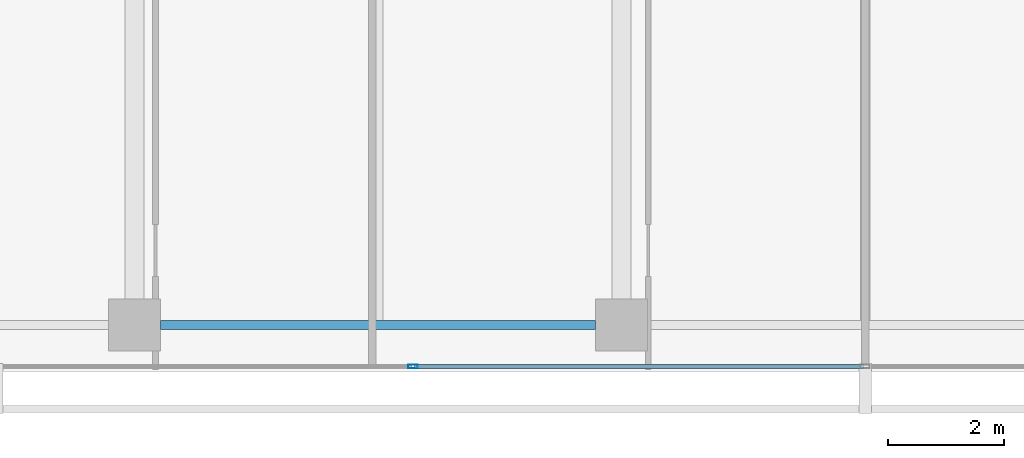
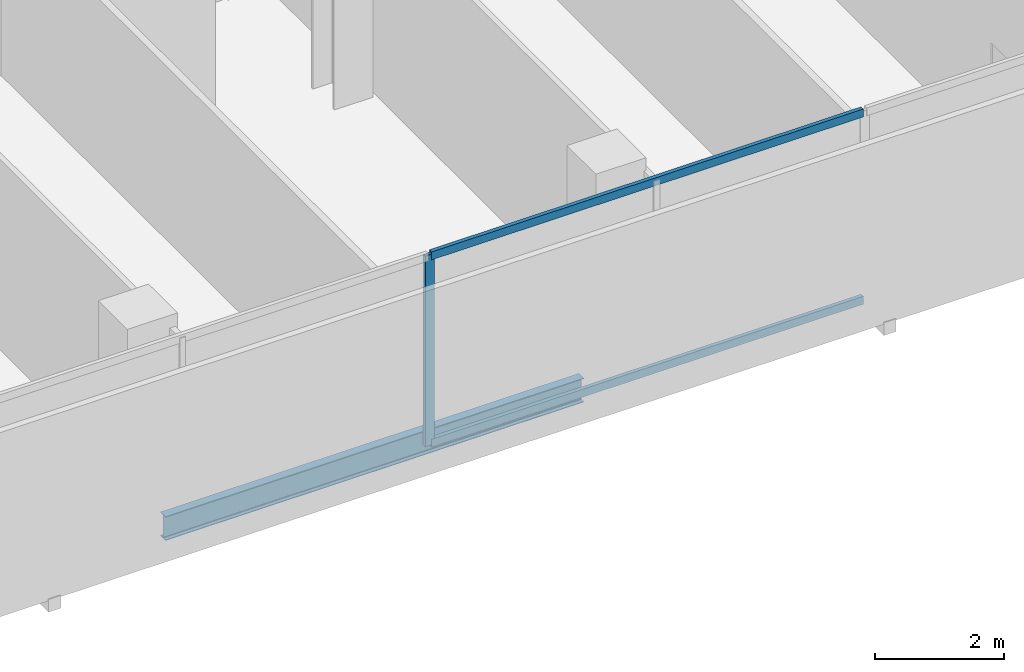
# One storey, part 7 of 40: 3 members, 1 beam, 1 element without a shape of its own.
"""IFC4 building model written with IfcOpenShell, lengths in metres."""

from ifc_helpers import new_model, si_unit, direction, frame, origin, origin_2d, place, context, subcontext, project, spatial, hollow_rectangle, i_section, extrude, material, layer, layer_set, material_profile, profile_set, type_object, element, aggregate, save


model = new_model("IFC4")

# Units and contexts
model_context = context("Model", 3, precision=1e-05, world=origin(), true_north=direction((0.0, 1.0)))
body_context = subcontext(model_context, "Body", "Model", "MODEL_VIEW")
ifc_project = project(units=[si_unit("LENGTHUNIT", "METRE"), si_unit("AREAUNIT", "SQUARE_METRE"), si_unit("VOLUMEUNIT", "CUBIC_METRE"), si_unit("PLANEANGLEUNIT", "RADIAN"), si_unit("MASSUNIT", "GRAM", prefix="KILO")], contexts=[model_context])

# Site, building, storey
site_placement = place(None, origin())
site = spatial("IfcSite", under=ifc_project, at=site_placement, CompositionType="ELEMENT")
building_placement = place(site_placement, origin())
building = spatial("IfcBuilding", under=site, at=building_placement, Name="Maruvema Waterfront Hotel and Observation Tower", CompositionType="ELEMENT")
storey_placement = place(building_placement, frame((0.0, 0.0, 92.39990234375)))
storey = spatial("IfcBuildingStorey", under=building, at=storey_placement, Name="L22", CompositionType="ELEMENT", Elevation=92.39990234375)

# Curtain wall, members
ifc_material_1 = material(Name="Anodised bronze aluminium and solar-control low-E IGU", Category="aluminium")
ifc_layer = layer(ifc_material_1, 0.159912109375, Name="Zone 1 Bronze Inner Thermal Curtain Wall System CW-02")
ifc_layer_set = layer_set([ifc_layer], Name="Anodised bronze aluminium and solar-control low-E IGU")
curtain_wall_type = type_object("IfcCurtainWallType", Name="Zone 1 Bronze Inner Thermal Curtain Wall System CW-02", PredefinedType="USERDEFINED", material=ifc_layer_set)
curtain_wall_placement = place(storey_placement, origin())
curtain_wall = element("IfcCurtainWall", 1, at=curtain_wall_placement, inside=storey, type_object=curtain_wall_type, Name="L22 Curtain Wall CW-L22-S", ObjectType="UNITISED CURTAIN WALL", PredefinedType="USERDEFINED")
ifc_material_2 = material(Name="Anodised architectural bronze aluminium", Category="aluminium")
ifc_material_profile_1 = material_profile(ifc_material_2, hollow_rectangle(XDim=0.070068359375, YDim=0.14990234375, WallThickness=0.00390625, at=origin_2d()), Name="ALU-T70x150")
ifc_profile_set_1 = profile_set([ifc_material_profile_1], Name="Anodised architectural bronze aluminium")
member_type_1 = type_object("IfcMemberType", Name="Curtain Wall Horizontal Transom ALU-T70x150", PredefinedType="USERDEFINED", material=ifc_profile_set_1)
member_1_placement = place(storey_placement, frame((30.030029296875, 0.080078125, 0.030029296875), z_axis=(1.0, 0.0, 0.0), x_axis=(0.0, 1.0, 0.0)))
member_1 = element("IfcMember", 2, at=member_1_placement, type_object=member_type_1, Name="CW-02 transom 3.1", ObjectType="TRANSOM", PredefinedType="USERDEFINED", context=body_context, shape_type="SweptSolid", body=[
    extrude(hollow_rectangle(XDim=0.070068359375, YDim=0.14990234375, WallThickness=0.00390625, at=origin_2d()), origin(), (0.0, 0.0, 1.0), 7.739990234375),
])
member_2_placement = place(storey_placement, frame((30.030029296875, 0.080078125, 3.580078125), z_axis=(1.0, 0.0, 0.0), x_axis=(0.0, 1.0, 0.0)))
member_2 = element("IfcMember", 3, at=member_2_placement, type_object=member_type_1, Name="CW-02 transom 3.2", ObjectType="TRANSOM", PredefinedType="USERDEFINED", context=body_context, shape_type="SweptSolid", body=[
    extrude(hollow_rectangle(XDim=0.070068359375, YDim=0.14990234375, WallThickness=0.00390625, at=origin_2d()), origin(), (0.0, 0.0, 1.0), 7.739990234375),
])
ifc_material_3 = material(Name="Anodised architectural bronze aluminium", Category="aluminium")
ifc_material_profile_2 = material_profile(ifc_material_3, hollow_rectangle(XDim=0.06494140625, YDim=0.1650390625, WallThickness=0.00390625, at=origin_2d()), Name="ALU-M65x165")
ifc_profile_set_2 = profile_set([ifc_material_profile_2], Name="Anodised architectural bronze aluminium")
member_type_2 = type_object("IfcMemberType", Name="Curtain Wall Primary Mullion ALU-M65x165", PredefinedType="MULLION", material=ifc_profile_set_2)
member_3_placement = place(storey_placement, frame((30.0, 0.080078125, 0.0), z_axis=(0.0, 0.0, 1.0), x_axis=(0.0, 1.0, 0.0)))
member_3 = element("IfcMember", 4, at=member_3_placement, type_object=member_type_2, Name="CW-02 mullion 3", PredefinedType="MULLION", context=body_context, shape_type="SweptSolid", body=[
    extrude(hollow_rectangle(XDim=0.06494140625, YDim=0.1650390625, WallThickness=0.00390625, at=origin_2d()), origin(), (0.0, 0.0, 1.0), 3.610107421875),
])
aggregate(curtain_wall, [member_3, member_1, member_2])

# Beam
ifc_material_4 = material(Name="Steel ASTM A572 Grade 50", Category="steel")
ifc_material_profile_3 = material_profile(ifc_material_4, i_section(OverallWidth=0.153076171875, OverallDepth=0.455078125, WebThickness=0.008056640625, FlangeThickness=0.01318359375, FilletRadius=0.014892578125, at=origin_2d()), Name="W460x60.0")
ifc_profile_set_3 = profile_set([ifc_material_profile_3], Name="Steel ASTM A572 Grade 50")
beam_type = type_object("IfcBeamType", Name="Perimeter Spandrel Beam W460x60.0", PredefinedType="SPANDREL", material=ifc_profile_set_3)
beam_placement = place(storey_placement, frame((25.64990234375, 0.800048828125, -0.46728515625), z_axis=(1.0, 0.0, 0.0), x_axis=(0.0, 1.0, 0.0)))
element("IfcBeam", 5, at=beam_placement, inside=storey, type_object=beam_type, Name="L22 Floor Girder EW-02", PredefinedType="SPANDREL", context=body_context, shape_type="SweptSolid", body=[
    extrude(i_section(OverallWidth=0.153076171875, OverallDepth=0.455078125, WebThickness=0.008056640625, FlangeThickness=0.01318359375, FilletRadius=0.014892578125, at=origin_2d()), origin(), (0.0, 0.0, 1.0), 7.5),
])

save(model, "model.ifc")
